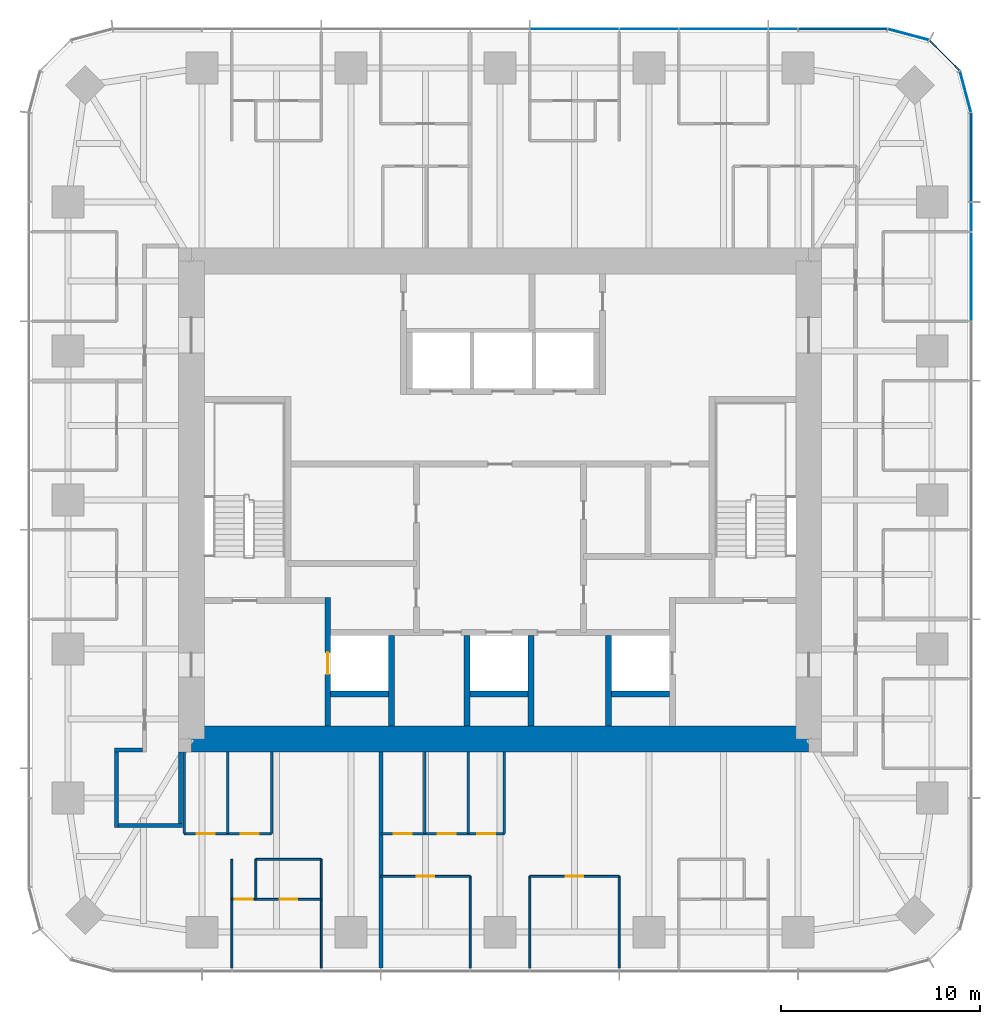
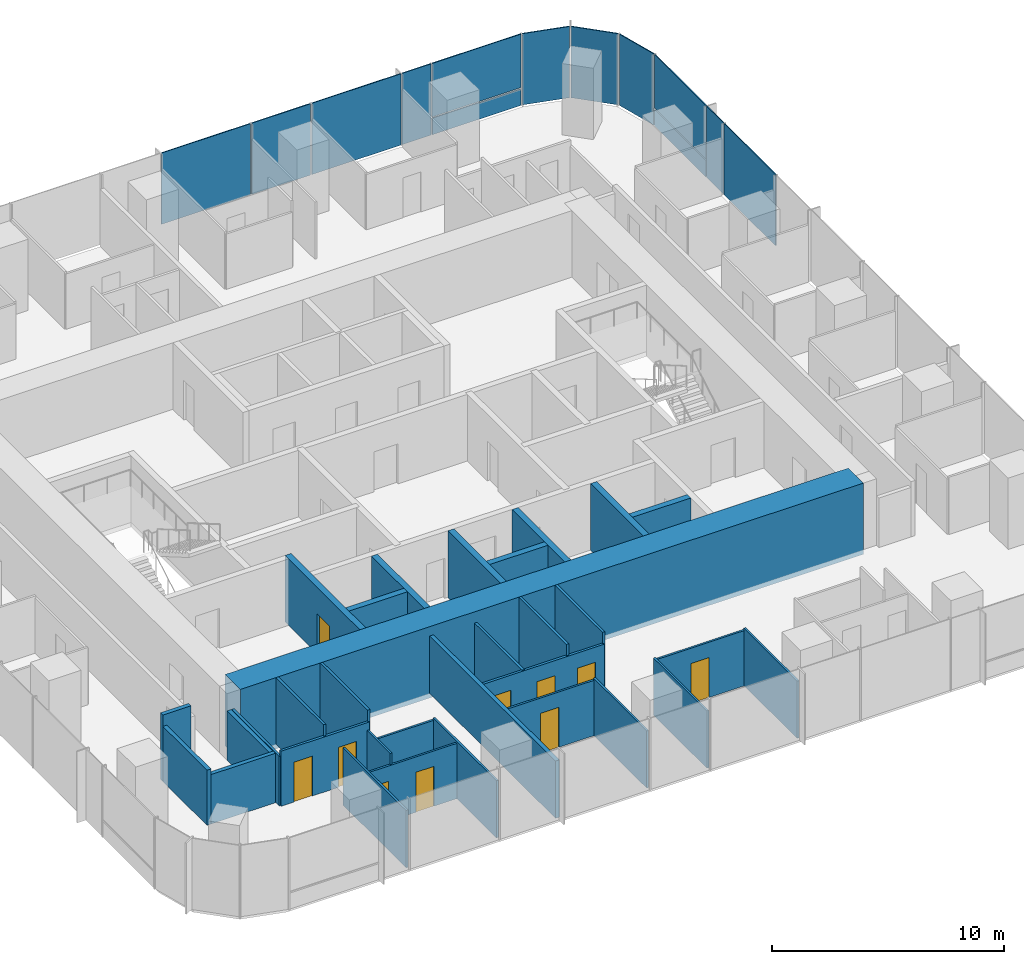
# One storey, part 8 of 12: 32 walls, 13 plates, 10 doors, 10 openings, 3 elements without a shape of their own.
"""IFC4 building model written with IfcOpenShell, lengths in metres."""

from ifc_helpers import new_model, si_unit, direction, frame, frame_2d, origin, origin_2d, place, context, subcontext, project, spatial, rectangle, extrude, material, layer, layer_set, type_object, element, fill, aggregate, save


model = new_model("IFC4")

# Units and contexts
model_context = context("Model", 3, precision=1e-05, world=origin(), true_north=direction((0.0, 1.0)))
body_context = subcontext(model_context, "Body", "Model", "MODEL_VIEW")
ifc_project = project(units=[si_unit("LENGTHUNIT", "METRE"), si_unit("AREAUNIT", "SQUARE_METRE"), si_unit("VOLUMEUNIT", "CUBIC_METRE"), si_unit("PLANEANGLEUNIT", "RADIAN"), si_unit("MASSUNIT", "GRAM", prefix="KILO")], contexts=[model_context])

# Site, building, storey
site_placement = place(None, origin())
site = spatial("IfcSite", under=ifc_project, at=site_placement, CompositionType="ELEMENT")
building_placement = place(site_placement, origin())
building = spatial("IfcBuilding", under=site, at=building_placement, Name="Khuree Lantern Residences", CompositionType="ELEMENT")
storey_placement = place(building_placement, frame((0.0, 0.0, 308.25)))
storey = spatial("IfcBuildingStorey", under=building, at=storey_placement, Name="L77", CompositionType="ELEMENT", Elevation=308.25)

# Curtain wall, plates
ifc_material_1 = material(Name="Bronze anodised aluminium", Category="aluminium")
curtain_wall_type_1 = type_object("IfcCurtainWallType", Name="CW-T2 TOWER CORNER CURTAIN WALL", PredefinedType="USERDEFINED", material=ifc_material_1)
curtain_wall_1_placement = place(storey_placement, origin())
curtain_wall_1 = element("IfcCurtainWall", 1, at=curtain_wall_1_placement, inside=storey, type_object=curtain_wall_type_1, Name="L77 NORTH-EAST CORNER CURTAIN WALL", ObjectType="Faceted corner curtain wall", PredefinedType="USERDEFINED")
ifc_material_2 = material(Name="Bronze tinted triple glazing", Category="glass")
ifc_layer_1 = layer(ifc_material_2, 0.048095703125)
ifc_layer_set_1 = layer_set([ifc_layer_1], Name="FACET PANEL P4")
plate_type_1 = type_object("IfcPlateType", Name="FACET PANEL P4", PredefinedType="CURTAIN_PANEL", material=ifc_layer_set_1)
plate_1_placement = place(storey_placement, frame((23.369140625, 20.498046875, 0.0), z_axis=(0.0, 0.0, 1.0), x_axis=(-0.2588189146, 0.965925861257, 0.0)))
plate_1 = element("IfcPlate", 2, at=plate_1_placement, type_object=plate_type_1, Name="L77 NORTH-EAST CORNER PANEL 15.1", PredefinedType="CURTAIN_PANEL", context=body_context, shape_type="SweptSolid", body=[
    extrude(rectangle(XDim=2.09814453125, YDim=0.048095703125, at=origin_2d()), origin(), (0.0, 0.0, 1.0), 3.75),
])
plate_2_placement = place(storey_placement, frame((22.318603515625, 22.318603515625, 0.0), z_axis=(0.0, 0.0, 1.0), x_axis=(-0.707106781187, 0.707106781187, 0.0)))
plate_2 = element("IfcPlate", 3, at=plate_2_placement, type_object=plate_type_1, Name="L77 NORTH-EAST CORNER PANEL 16.1", PredefinedType="CURTAIN_PANEL", context=body_context, shape_type="SweptSolid", body=[
    extrude(rectangle(XDim=2.093994140625, YDim=0.048095703125, at=origin_2d()), origin(), (0.0, 0.0, 1.0), 3.75),
])
plate_3_placement = place(storey_placement, frame((20.498046875, 23.369140625, 0.0), z_axis=(0.0, 0.0, 1.0), x_axis=(-0.965925861257, 0.2588189146, 0.0)))
plate_3 = element("IfcPlate", 4, at=plate_3_placement, type_object=plate_type_1, Name="L77 NORTH-EAST CORNER PANEL 17.1", PredefinedType="CURTAIN_PANEL", context=body_context, shape_type="SweptSolid", body=[
    extrude(rectangle(XDim=2.09814453125, YDim=0.048095703125, at=origin_2d()), origin(), (0.0, 0.0, 1.0), 3.75),
])
aggregate(curtain_wall_1, [plate_1, plate_2, plate_3])

# Curtain wall, plate
curtain_wall_type_2 = type_object("IfcCurtainWallType", Name="CW-T1 TOWER FACE CURTAIN WALL", PredefinedType="USERDEFINED", material=ifc_material_1)
curtain_wall_2_placement = place(storey_placement, origin())
curtain_wall_2 = element("IfcCurtainWall", 5, at=curtain_wall_2_placement, inside=storey, type_object=curtain_wall_type_2, Name="L77 EAST FACE CURTAIN WALL", ObjectType="Stick-built curtain wall", PredefinedType="USERDEFINED")
ifc_material_3 = material(Name="Bronze tinted triple glazing with a ceramic-fritted spandrel band", Category="glass")
ifc_layer_2 = layer(ifc_material_3, 0.048095703125)
ifc_layer_set_2 = layer_set([ifc_layer_2], Name="FIXED LIGHT PANEL P11")
plate_type_2 = type_object("IfcPlateType", Name="FIXED LIGHT PANEL P11", PredefinedType="CURTAIN_PANEL", material=ifc_layer_set_2)
plate_4_placement = place(storey_placement, frame((23.64990234375, 11.219970703125, 0.0), z_axis=(0.0, 0.0, 1.0), x_axis=(0.0, 1.0, 0.0)))
plate_4 = element("IfcPlate", 6, at=plate_4_placement, type_object=plate_type_2, Name="L77 EAST FACE PANEL 12.1", PredefinedType="CURTAIN_PANEL", context=body_context, shape_type="SweptSolid", body=[
    extrude(rectangle(XDim=4.423095703125, YDim=0.048095703125, at=origin_2d()), origin(), (0.0, 0.0, 1.0), 3.75),
])

# Curtain wall, plates
curtain_wall_3_placement = place(storey_placement, origin())
curtain_wall_3 = element("IfcCurtainWall", 7, at=curtain_wall_3_placement, inside=storey, type_object=curtain_wall_type_2, Name="L77 NORTH FACE CURTAIN WALL", ObjectType="Stick-built curtain wall", PredefinedType="USERDEFINED")
plate_5_placement = place(storey_placement, frame((11.219970703125, 23.64990234375, 0.0), z_axis=(0.0, 0.0, 1.0), x_axis=(-1.0, 0.0, 0.0)))
plate_5 = element("IfcPlate", 8, at=plate_5_placement, type_object=plate_type_2, Name="L77 NORTH FACE PANEL 20.1", PredefinedType="CURTAIN_PANEL", context=body_context, shape_type="SweptSolid", body=[
    extrude(rectangle(XDim=4.423095703125, YDim=0.048095703125, at=origin_2d()), origin(), (0.0, 0.0, 1.0), 3.75),
])
plate_6_placement = place(storey_placement, frame((3.739990234375, 23.64990234375, 0.0), z_axis=(0.0, 0.0, 1.0), x_axis=(-1.0, 0.0, 0.0)))
plate_6 = element("IfcPlate", 9, at=plate_6_placement, type_object=plate_type_2, Name="L77 NORTH FACE PANEL 22.1", PredefinedType="CURTAIN_PANEL", context=body_context, shape_type="SweptSolid", body=[
    extrude(rectangle(XDim=4.423095703125, YDim=0.048095703125, at=origin_2d()), origin(), (0.0, 0.0, 1.0), 3.75),
])
ifc_material_4 = material(Name="Bronze tinted triple glazing, two aluminium-framed sashes in one frame", Category="aluminium")
ifc_layer_3 = layer(ifc_material_4, 0.048095703125)
ifc_layer_set_3 = layer_set([ifc_layer_3], Name="SASH PAIR PANEL P12")
plate_type_3 = type_object("IfcPlateType", Name="SASH PAIR PANEL P12", PredefinedType="CURTAIN_PANEL", material=ifc_layer_set_3)
plate_7_placement = place(storey_placement, frame((7.47998046875, 23.64990234375, 0.0), z_axis=(0.0, 0.0, 1.0), x_axis=(-1.0, 0.0, 0.0)))
plate_7 = element("IfcPlate", 10, at=plate_7_placement, type_object=plate_type_3, Name="L77 NORTH FACE PANEL 21.1", PredefinedType="CURTAIN_PANEL", context=body_context, shape_type="SweptSolid", body=[
    extrude(rectangle(XDim=2.927001953125, YDim=0.048095703125, at=origin_2d()), origin(), (0.0, 0.0, 1.0), 3.75),
])

# Plate
ifc_material_5 = material(Name="Bronze tinted triple glazing, aluminium-framed sash", Category="aluminium")
ifc_layer_4 = layer(ifc_material_5, 0.048095703125)
ifc_layer_set_4 = layer_set([ifc_layer_4], Name="SASH PANEL P3")
plate_type_4 = type_object("IfcPlateType", Name="SASH PANEL P3", PredefinedType="CURTAIN_PANEL", material=ifc_layer_set_4)
plate_8_placement = place(storey_placement, frame((23.64990234375, 14.2119140625, 0.0), z_axis=(0.0, 0.0, 1.0), x_axis=(0.0, 1.0, 0.0)))
plate_8 = element("IfcPlate", 11, at=plate_8_placement, type_object=plate_type_4, Name="L77 EAST FACE PANEL 13.1", PredefinedType="CURTAIN_PANEL", context=body_context, shape_type="SweptSolid", body=[
    extrude(rectangle(XDim=1.430908203125, YDim=0.048095703125, at=origin_2d()), origin(), (0.0, 0.0, 1.0), 3.75),
])

plate_9_placement = place(storey_placement, frame((14.2119140625, 23.64990234375, 0.0), z_axis=(0.0, 0.0, 1.0), x_axis=(-1.0, 0.0, 0.0)))
plate_9 = element("IfcPlate", 12, at=plate_9_placement, type_object=plate_type_4, Name="L77 NORTH FACE PANEL 19.1", PredefinedType="CURTAIN_PANEL", context=body_context, shape_type="SweptSolid", body=[
    extrude(rectangle(XDim=1.430908203125, YDim=0.048095703125, at=origin_2d()), origin(), (0.0, 0.0, 1.0), 3.75),
])

ifc_material_6 = material(Name="Bronze anodised aluminium insulated spandrel", Category="aluminium")
ifc_layer_5 = layer(ifc_material_6, 0.06005859375)
ifc_layer_set_5 = layer_set([ifc_layer_5], Name="SPANDREL PANEL P2")
plate_type_5 = type_object("IfcPlateType", Name="SPANDREL PANEL P2", PredefinedType="CURTAIN_PANEL", material=ifc_layer_set_5)
plate_10_placement = place(storey_placement, frame((23.64990234375, 17.202880859375, 0.0), z_axis=(0.0, 0.0, 1.0), x_axis=(0.0, 1.0, 0.0)))
plate_10 = element("IfcPlate", 13, at=plate_10_placement, type_object=plate_type_5, Name="L77 EAST FACE PANEL 14.1", PredefinedType="CURTAIN_PANEL", context=body_context, shape_type="SweptSolid", body=[
    extrude(rectangle(XDim=4.420654296875, YDim=0.06005859375, at=origin_2d()), origin(), (0.0, 0.0, 1.0), 0.867431640625),
])

plate_11_placement = place(storey_placement, frame((17.202880859375, 23.64990234375, 0.0), z_axis=(0.0, 0.0, 1.0), x_axis=(-1.0, 0.0, 0.0)))
plate_11 = element("IfcPlate", 14, at=plate_11_placement, type_object=plate_type_5, Name="L77 NORTH FACE PANEL 18.1", PredefinedType="CURTAIN_PANEL", context=body_context, shape_type="SweptSolid", body=[
    extrude(rectangle(XDim=4.420654296875, YDim=0.06005859375, at=origin_2d()), origin(), (0.0, 0.0, 1.0), 0.867431640625),
])

ifc_layer_6 = layer(ifc_material_2, 0.048095703125)
ifc_layer_set_6 = layer_set([ifc_layer_6], Name="VISION PANEL P1")
plate_type_6 = type_object("IfcPlateType", Name="VISION PANEL P1", PredefinedType="CURTAIN_PANEL", material=ifc_layer_set_6)
plate_12_placement = place(storey_placement, frame((23.64990234375, 17.203369140625, 0.9326171875), z_axis=(0.0, 0.0, 1.0), x_axis=(0.0, 1.0, 0.0)))
plate_12 = element("IfcPlate", 15, at=plate_12_placement, type_object=plate_type_6, Name="L77 EAST FACE PANEL 14.2", PredefinedType="CURTAIN_PANEL", context=body_context, shape_type="SweptSolid", body=[
    extrude(rectangle(XDim=4.421630859375, YDim=0.048095703125, at=origin_2d()), origin(), (0.0, 0.0, 1.0), 2.8173828125),
])

aggregate(curtain_wall_2, [plate_4, plate_8, plate_10, plate_12])

plate_13_placement = place(storey_placement, frame((17.203369140625, 23.64990234375, 0.9326171875), z_axis=(0.0, 0.0, 1.0), x_axis=(-1.0, 0.0, 0.0)))
plate_13 = element("IfcPlate", 16, at=plate_13_placement, type_object=plate_type_6, Name="L77 NORTH FACE PANEL 18.2", PredefinedType="CURTAIN_PANEL", context=body_context, shape_type="SweptSolid", body=[
    extrude(rectangle(XDim=4.421630859375, YDim=0.048095703125, at=origin_2d()), origin(), (0.0, 0.0, 1.0), 2.8173828125),
])

aggregate(curtain_wall_3, [plate_11, plate_13, plate_9, plate_5, plate_7, plate_6])

# Wall, openings, doors
ifc_material_7 = material(Name="Moisture-resistant gypsum board on steel studs", Category="steel")
ifc_layer_7 = layer(ifc_material_7, 0.125)
ifc_layer_set_7 = layer_set([ifc_layer_7], Name="BATHROOM WALL BTW125")
wall_type_1 = type_object("IfcWallType", Name="BATHROOM WALL BTW125", PredefinedType="PARTITIONING", material=ifc_layer_set_7)
wall_1_placement = place(storey_placement, frame((-15.866455078125, -16.746337890625, 0.0), z_axis=(0.0, 0.0, 1.0), x_axis=(1.0, 0.0, 0.0)))
wall_1 = element("IfcWall", 17, at=wall_1_placement, inside=storey, type_object=wall_type_1, Name="L77 BATHROOM WALL 03", PredefinedType="PARTITIONING", context=body_context, shape_type="SweptSolid", body=[
    extrude(rectangle(XDim=4.39990234375, YDim=0.125, at=frame_2d((2.199951171875, 0.0))), origin(), (0.0, 0.0, 1.0), 2.89990234375),
])
opening_1_placement = place(wall_1_placement, frame((0.64990234375, 0.0, 0.0)))
opening_1 = element("IfcOpeningElement", 18, at=opening_1_placement, cuts=wall_1, Name="Opening 77-044", PredefinedType="OPENING", context=body_context, shape_type="SweptSolid", body=[
    extrude(rectangle(XDim=0.89990234375, YDim=2.10009765625, at=frame_2d((0.449951171875, 1.050048828125))), frame((0.0, 0.072509765625, 0.0), z_axis=(0.0, -1.0, 0.0), x_axis=(1.0, 0.0, 0.0)), (0.0, 0.0, 1.0), 0.14501953125),
])
opening_2_placement = place(wall_1_placement, frame((2.85009765625, 0.0, 0.0)))
opening_2 = element("IfcOpeningElement", 19, at=opening_2_placement, cuts=wall_1, Name="Opening 77-045", PredefinedType="OPENING", context=body_context, shape_type="SweptSolid", body=[
    extrude(rectangle(XDim=0.89990234375, YDim=2.10009765625, at=frame_2d((0.449951171875, 1.050048828125))), frame((0.0, 0.072509765625, 0.0), z_axis=(0.0, -1.0, 0.0), x_axis=(1.0, 0.0, 0.0)), (0.0, 0.0, 1.0), 0.14501953125),
])
ifc_material_8 = material(Name="Timber door leaf in hardwood frame", Category="wood")
door_type_1 = type_object("IfcDoorType", Name="BATHROOM DOOR 900X2100", OperationType="SINGLE_SWING_LEFT", PredefinedType="DOOR", material=ifc_material_8)
door_1_placement = place(opening_1_placement, origin())
door_1 = element("IfcDoor", 20, at=door_1_placement, inside=storey, type_object=door_type_1, Name="Bathroom door 77-044", OperationType="SINGLE_SWING_LEFT", OverallHeight=2.10009765625, OverallWidth=0.89990234375, PredefinedType="DOOR", context=body_context, shape_type="SweptSolid", body=[
    extrude(rectangle(XDim=0.89990234375, YDim=2.10009765625, at=frame_2d((0.449951171875, 1.050048828125))), frame((0.0, 0.02490234375, 0.0), z_axis=(0.0, -1.0, 0.0), x_axis=(1.0, 0.0, 0.0)), (0.0, 0.0, 1.0), 0.050048828125),
])
fill(opening_1, door_1)
door_2_placement = place(opening_2_placement, origin())
door_2 = element("IfcDoor", 21, at=door_2_placement, inside=storey, type_object=door_type_1, Name="Bathroom door 77-045", OperationType="SINGLE_SWING_LEFT", OverallHeight=2.10009765625, OverallWidth=0.89990234375, PredefinedType="DOOR", context=body_context, shape_type="SweptSolid", body=[
    extrude(rectangle(XDim=0.89990234375, YDim=2.10009765625, at=frame_2d((0.449951171875, 1.050048828125))), frame((0.0, 0.02490234375, 0.0), z_axis=(0.0, -1.0, 0.0), x_axis=(1.0, 0.0, 0.0)), (0.0, 0.0, 1.0), 0.050048828125),
])
fill(opening_2, door_2)

# Walls
wall_2_placement = place(storey_placement, frame((-15.866455078125, -12.64990234375, 0.0), z_axis=(0.0, 0.0, 1.0), x_axis=(0.0, -1.0, 0.0)))
element("IfcWall", 22, at=wall_2_placement, inside=storey, type_object=wall_type_1, Name="L77 BATHROOM WALL 03", PredefinedType="PARTITIONING", context=body_context, shape_type="SweptSolid", body=[
    extrude(rectangle(XDim=4.096435546875, YDim=0.125, at=frame_2d((2.04833984375, 0.0))), origin(), (0.0, 0.0, 1.0), 2.60009765625),
])
for number, where, z_axis, x_axis, name in (
    (23, (-13.66650390625, -12.64990234375, 0.0), (0.0, 0.0, 1.0), (0.0, -1.0, 0.0), "L77 BATHROOM WALL 03"),
    (24, (-11.466552734375, -12.64990234375, 0.0), (0.0, 0.0, 1.0), (0.0, -1.0, 0.0), "L77 BATHROOM WALL 03"),
):
    element("IfcWall", number, at=place(storey_placement, frame(where, z_axis=z_axis, x_axis=x_axis)), inside=storey, type_object=wall_type_1, Name=name, PredefinedType="PARTITIONING", context=body_context, shape_type="SweptSolid", body=[
        extrude(rectangle(XDim=4.096435546875, YDim=0.125, at=frame_2d((2.04833984375, 0.0))), origin(), (0.0, 0.0, 1.0), 3.5),
    ])

# Wall, openings, doors
wall_3_placement = place(storey_placement, frame((-5.98388671875, -16.746337890625, 0.0), z_axis=(0.0, 0.0, 1.0), x_axis=(1.0, 0.0, 0.0)))
wall_3 = element("IfcWall", 25, at=wall_3_placement, inside=storey, type_object=wall_type_1, Name="L77 BATHROOM WALL 04", PredefinedType="PARTITIONING", context=body_context, shape_type="SweptSolid", body=[
    extrude(rectangle(XDim=6.199951171875, YDim=0.125, at=frame_2d((3.10009765625, 0.0))), origin(), (0.0, 0.0, 1.0), 2.89990234375),
])
opening_3_placement = place(wall_3_placement, frame((0.64990234375, 0.0, 0.0)))
opening_3 = element("IfcOpeningElement", 26, at=opening_3_placement, cuts=wall_3, Name="Opening 77-052", PredefinedType="OPENING", context=body_context, shape_type="SweptSolid", body=[
    extrude(rectangle(XDim=0.89990234375, YDim=2.10009765625, at=frame_2d((0.449951171875, 1.050048828125))), frame((0.0, 0.072509765625, 0.0), z_axis=(0.0, -1.0, 0.0), x_axis=(1.0, 0.0, 0.0)), (0.0, 0.0, 1.0), 0.14501953125),
])
opening_4_placement = place(wall_3_placement, frame((2.85009765625, 0.0, 0.0)))
opening_4 = element("IfcOpeningElement", 27, at=opening_4_placement, cuts=wall_3, Name="Opening 77-053", PredefinedType="OPENING", context=body_context, shape_type="SweptSolid", body=[
    extrude(rectangle(XDim=0.89990234375, YDim=2.10009765625, at=frame_2d((0.449951171875, 1.050048828125))), frame((0.0, 0.072509765625, 0.0), z_axis=(0.0, -1.0, 0.0), x_axis=(1.0, 0.0, 0.0)), (0.0, 0.0, 1.0), 0.14501953125),
])
opening_5_placement = place(wall_3_placement, frame((4.85009765625, 0.0, 0.0)))
opening_5 = element("IfcOpeningElement", 28, at=opening_5_placement, cuts=wall_3, Name="Opening 77-054", PredefinedType="OPENING", context=body_context, shape_type="SweptSolid", body=[
    extrude(rectangle(XDim=0.89990234375, YDim=2.10009765625, at=frame_2d((0.449951171875, 1.050048828125))), frame((0.0, 0.072509765625, 0.0), z_axis=(0.0, -1.0, 0.0), x_axis=(1.0, 0.0, 0.0)), (0.0, 0.0, 1.0), 0.14501953125),
])
door_3_placement = place(opening_3_placement, origin())
door_3 = element("IfcDoor", 29, at=door_3_placement, inside=storey, type_object=door_type_1, Name="Bathroom door 77-052", OperationType="SINGLE_SWING_LEFT", OverallHeight=2.10009765625, OverallWidth=0.89990234375, PredefinedType="DOOR", context=body_context, shape_type="SweptSolid", body=[
    extrude(rectangle(XDim=0.89990234375, YDim=2.10009765625, at=frame_2d((0.449951171875, 1.050048828125))), frame((0.0, 0.02490234375, 0.0), z_axis=(0.0, -1.0, 0.0), x_axis=(1.0, 0.0, 0.0)), (0.0, 0.0, 1.0), 0.050048828125),
])
fill(opening_3, door_3)
door_4_placement = place(opening_4_placement, origin())
door_4 = element("IfcDoor", 30, at=door_4_placement, inside=storey, type_object=door_type_1, Name="Bathroom door 77-053", OperationType="SINGLE_SWING_LEFT", OverallHeight=2.10009765625, OverallWidth=0.89990234375, PredefinedType="DOOR", context=body_context, shape_type="SweptSolid", body=[
    extrude(rectangle(XDim=0.89990234375, YDim=2.10009765625, at=frame_2d((0.449951171875, 1.050048828125))), frame((0.0, 0.02490234375, 0.0), z_axis=(0.0, -1.0, 0.0), x_axis=(1.0, 0.0, 0.0)), (0.0, 0.0, 1.0), 0.050048828125),
])
fill(opening_4, door_4)
door_type_2 = type_object("IfcDoorType", Name="DOOR 900X2100", OperationType="SINGLE_SWING_LEFT", PredefinedType="DOOR", material=ifc_material_8)
door_5_placement = place(opening_5_placement, origin())
door_5 = element("IfcDoor", 31, at=door_5_placement, inside=storey, type_object=door_type_2, Name="Store door 77-054", OperationType="SINGLE_SWING_LEFT", OverallHeight=2.10009765625, OverallWidth=0.89990234375, PredefinedType="DOOR", context=body_context, shape_type="SweptSolid", body=[
    extrude(rectangle(XDim=0.89990234375, YDim=2.10009765625, at=frame_2d((0.449951171875, 1.050048828125))), frame((0.0, 0.02490234375, 0.0), z_axis=(0.0, -1.0, 0.0), x_axis=(1.0, 0.0, 0.0)), (0.0, 0.0, 1.0), 0.050048828125),
])
fill(opening_5, door_5)

# Walls
wall_4_placement = place(storey_placement, frame((-3.783935546875, -12.64990234375, 0.0), z_axis=(0.0, 0.0, 1.0), x_axis=(0.0, -1.0, 0.0)))
element("IfcWall", 32, at=wall_4_placement, inside=storey, type_object=wall_type_1, Name="L77 BATHROOM WALL 04", PredefinedType="PARTITIONING", context=body_context, shape_type="SweptSolid", body=[
    extrude(rectangle(XDim=4.096435546875, YDim=0.125, at=frame_2d((2.04833984375, 0.0))), origin(), (0.0, 0.0, 1.0), 2.909912109375),
])
for number, where, z_axis, x_axis, name in (
    (33, (-1.583984375, -12.64990234375, 0.0), (0.0, 0.0, 1.0), (0.0, -1.0, 0.0), "L77 BATHROOM WALL 04"),
    (34, (0.216064453125, -12.64990234375, 0.0), (0.0, 0.0, 1.0), (0.0, -1.0, 0.0), "L77 BATHROOM WALL 04"),
):
    element("IfcWall", number, at=place(storey_placement, frame(where, z_axis=z_axis, x_axis=x_axis)), inside=storey, type_object=wall_type_1, Name=name, PredefinedType="PARTITIONING", context=body_context, shape_type="SweptSolid", body=[
        extrude(rectangle(XDim=4.096435546875, YDim=0.125, at=frame_2d((2.04833984375, 0.0))), origin(), (0.0, 0.0, 1.0), 3.5),
    ])

# Wall, opening, door
ifc_material_9 = material(Name="Dense concrete blockwork", Category="masonry")
ifc_layer_8 = layer(ifc_material_9, 0.300048828125)
ifc_layer_set_8 = layer_set([ifc_layer_8], Name="CORE PARTITION WALL CPW300 EI 120")
wall_type_2 = type_object("IfcWallType", Name="CORE PARTITION WALL CPW300 EI 120", PredefinedType="PARTITIONING", material=ifc_layer_set_8)
wall_5_placement = place(storey_placement, frame((-8.64990234375, -11.35009765625, 0.0), z_axis=(0.0, 0.0, 1.0), x_axis=(0.0, 1.0, 0.0)))
wall_5 = element("IfcWall", 35, at=wall_5_placement, inside=storey, type_object=wall_type_2, Name="L77 CORE WALL FL1W", PredefinedType="PARTITIONING", context=body_context, shape_type="SweptSolid", body=[
    extrude(rectangle(XDim=6.4501953125, YDim=0.300048828125, at=frame_2d((3.22509765625, 0.0))), origin(), (0.0, 0.0, 1.0), 3.5),
])
opening_6_placement = place(wall_5_placement, frame((2.60009765625, 0.0, 0.0)))
opening_6 = element("IfcOpeningElement", 36, at=opening_6_placement, cuts=wall_5, Name="Opening 77-007", PredefinedType="OPENING", context=body_context, shape_type="SweptSolid", body=[
    extrude(rectangle(XDim=1.10009765625, YDim=2.10009765625, at=frame_2d((0.550048828125, 1.050048828125))), frame((0.0, 0.16015625, 0.0), z_axis=(0.0, -1.0, 0.0), x_axis=(1.0, 0.0, 0.0)), (0.0, 0.0, 1.0), 0.320068359375),
])
ifc_material_10 = material(Name="Stainless steel lift landing door", Category="steel")
door_type_3 = type_object("IfcDoorType", Name="LIFT LANDING DOOR 1100X2100 E 120", OperationType="DOUBLE_DOOR_SLIDING", PredefinedType="DOOR", material=ifc_material_10)
door_6_placement = place(opening_6_placement, origin())
door_6 = element("IfcDoor", 37, at=door_6_placement, inside=storey, type_object=door_type_3, Name="Landing door FL1 77-007", OperationType="DOUBLE_DOOR_SLIDING", OverallHeight=2.10009765625, OverallWidth=1.10009765625, PredefinedType="DOOR", context=body_context, shape_type="SweptSolid", body=[
    extrude(rectangle(XDim=1.10009765625, YDim=2.10009765625, at=frame_2d((0.550048828125, 1.050048828125))), frame((0.0, 0.02490234375, 0.0), z_axis=(0.0, -1.0, 0.0), x_axis=(1.0, 0.0, 0.0)), (0.0, 0.0, 1.0), 0.050048828125),
])
fill(opening_6, door_6)

# Walls
for number, where, z_axis, x_axis, name in (
    (38, (-5.449951171875, -11.35009765625, 0.0), (0.0, 0.0, 1.0), (0.0, 1.0, 0.0), "L77 CORE WALL FL1E"),
    (39, (-1.64990234375, -11.35009765625, 0.0), (0.0, 0.0, 1.0), (0.0, 1.0, 0.0), "L77 CORE WALL SL1W"),
    (40, (1.550048828125, -11.35009765625, 0.0), (0.0, 0.0, 1.0), (0.0, 1.0, 0.0), "L77 CORE WALL SL1E"),
    (41, (5.449951171875, -11.35009765625, 0.0), (0.0, 0.0, 1.0), (0.0, 1.0, 0.0), "L77 CORE WALL FL2W"),
):
    element("IfcWall", number, at=place(storey_placement, frame(where, z_axis=z_axis, x_axis=x_axis)), inside=storey, type_object=wall_type_2, Name=name, PredefinedType="PARTITIONING", context=body_context, shape_type="SweptSolid", body=[
        extrude(rectangle(XDim=4.550048828125, YDim=0.300048828125, at=frame_2d((2.27490234375, 0.0))), origin(), (0.0, 0.0, 1.0), 3.5),
    ])
for number, where, z_axis, x_axis, name in (
    (42, (-8.5, -9.75, 0.0), (0.0, 0.0, 1.0), (1.0, 0.0, 0.0), "L77 CORE WALL FL1S"),
    (43, (-1.5, -9.75, 0.0), (0.0, 0.0, 1.0), (1.0, 0.0, 0.0), "L77 CORE WALL SL1S"),
    (44, (5.60009765625, -9.75, 0.0), (0.0, 0.0, 1.0), (1.0, 0.0, 0.0), "L77 CORE WALL FL2S"),
):
    element("IfcWall", number, at=place(storey_placement, frame(where, z_axis=z_axis, x_axis=x_axis)), inside=storey, type_object=wall_type_2, Name=name, PredefinedType="PARTITIONING", context=body_context, shape_type="SweptSolid", body=[
        extrude(rectangle(XDim=2.89990234375, YDim=0.300048828125, at=frame_2d((1.449951171875, 0.0))), origin(), (0.0, 0.0, 1.0), 3.5),
    ])
ifc_material_11 = material(Name="Gypsum board on steel studs", Category="steel")
ifc_layer_9 = layer(ifc_material_11, 0.199951171875)
ifc_layer_set_9 = layer_set([ifc_layer_9], Name="CORRIDOR WALL CRW200 EI 60")
wall_type_3 = type_object("IfcWallType", Name="CORRIDOR WALL CRW200 EI 60", PredefinedType="PARTITIONING", material=ifc_layer_set_9)
wall_6_placement = place(storey_placement, frame((-17.949951171875, -12.550048828125, 0.0), z_axis=(0.0, 0.0, 1.0), x_axis=(-1.0, 0.0, 0.0)))
element("IfcWall", 45, at=wall_6_placement, inside=storey, type_object=wall_type_3, Name="L77 RESIDENTS LOUNGE WALL", PredefinedType="PARTITIONING", context=body_context, shape_type="SweptSolid", body=[
    extrude(rectangle(XDim=1.400146484375, YDim=0.199951171875, at=frame_2d((0.7001953125, 0.0))), origin(), (0.0, 0.0, 1.0), 3.5),
])
wall_7_placement = place(storey_placement, frame((-19.25, -12.449951171875, 0.0), z_axis=(0.0, 0.0, 1.0), x_axis=(0.0, -1.0, 0.0)))
element("IfcWall", 46, at=wall_7_placement, inside=storey, type_object=wall_type_3, Name="L77 RESIDENTS LOUNGE WALL", PredefinedType="PARTITIONING", context=body_context, shape_type="SweptSolid", body=[
    extrude(rectangle(XDim=4.0, YDim=0.199951171875, at=frame_2d((2.0, 0.0))), origin(), (0.0, 0.0, 1.0), 2.89990234375),
])
wall_8_placement = place(storey_placement, frame((-19.14990234375, -16.35009765625, 0.0), z_axis=(0.0, 0.0, 1.0), x_axis=(1.0, 0.0, 0.0)))
element("IfcWall", 47, at=wall_8_placement, inside=storey, type_object=wall_type_3, Name="L77 RESIDENTS LOUNGE WALL", PredefinedType="PARTITIONING", context=body_context, shape_type="SweptSolid", body=[
    extrude(rectangle(XDim=3.199951171875, YDim=0.199951171875, at=frame_2d((1.60009765625, 0.0))), origin(), (0.0, 0.0, 1.0), 2.60009765625),
])
wall_9_placement = place(storey_placement, frame((-16.050048828125, -16.449951171875, 0.0), z_axis=(0.0, 0.0, 1.0), x_axis=(0.0, 1.0, 0.0)))
element("IfcWall", 48, at=wall_9_placement, inside=storey, type_object=wall_type_3, Name="L77 RESIDENTS LOUNGE WALL", PredefinedType="PARTITIONING", context=body_context, shape_type="SweptSolid", body=[
    extrude(rectangle(XDim=3.800048828125, YDim=0.199951171875, at=frame_2d((1.89990234375, 0.0))), origin(), (0.0, 0.0, 1.0), 2.60009765625),
])
ifc_material_12 = material(Name="Concrete C50/60", Category="concrete")
ifc_layer_10 = layer(ifc_material_12, 1.300048828125)
ifc_layer_set_10 = layer_set([ifc_layer_10], Name="CW1300-C50 CORE WALL C50 1300")
wall_type_4 = type_object("IfcWallType", Name="CW1300-C50 CORE WALL C50 1300", PredefinedType="SHEAR", material=ifc_layer_set_10)
wall_10_placement = place(storey_placement, frame((-15.5, -12.0, -0.25), z_axis=(0.0, 0.0, 1.0), x_axis=(1.0, 0.0, 0.0)))
element("IfcWall", 49, at=wall_10_placement, inside=storey, type_object=wall_type_4, Name="Core wall S", PredefinedType="SHEAR", context=body_context, shape_type="SweptSolid", body=[
    extrude(rectangle(XDim=31.0, YDim=1.300048828125, at=frame_2d((15.5, 0.0))), origin(), (0.0, 0.0, 1.0), 3.75),
])
ifc_layer_11 = layer(ifc_material_11, 0.199951171875)
ifc_layer_set_11 = layer_set([ifc_layer_11], Name="DEMISING WALL DMW200 EI 90")
wall_type_5 = type_object("IfcWallType", Name="DEMISING WALL DMW200 EI 90", PredefinedType="PARTITIONING", material=ifc_layer_set_11)
wall_11_placement = place(storey_placement, frame((-5.98388671875, -12.64990234375, 0.0), z_axis=(0.0, 0.0, 1.0), x_axis=(0.0, -1.0, 0.0)))
element("IfcWall", 50, at=wall_11_placement, inside=storey, type_object=wall_type_5, Name="L77 DEMISING WALL 04", PredefinedType="PARTITIONING", context=body_context, shape_type="SweptSolid", body=[
    extrude(rectangle(XDim=10.85009765625, YDim=0.199951171875, at=frame_2d((5.425048828125, 0.0))), origin(), (0.0, 0.0, 1.0), 3.010009765625),
])
ifc_layer_12 = layer(ifc_material_11, 0.10009765625)
ifc_layer_set_12 = layer_set([ifc_layer_12], Name="PARTITION PT100")
wall_type_6 = type_object("IfcWallType", Name="PARTITION PT100", PredefinedType="PARTITIONING", material=ifc_layer_set_12)
for number, where, z_axis, x_axis, name in (
    (51, (-13.464111328125, -18.04638671875, 0.0), (0.0, 0.0, 1.0), (0.0, -1.0, 0.0), "L77 PARTITION 03"),
    (52, (-8.97607421875, -18.04638671875, 0.0), (0.0, 0.0, 1.0), (0.0, -1.0, 0.0), "L77 PARTITION 03"),
):
    element("IfcWall", number, at=place(storey_placement, frame(where, z_axis=z_axis, x_axis=x_axis)), inside=storey, type_object=wall_type_6, Name=name, PredefinedType="PARTITIONING", context=body_context, shape_type="SweptSolid", body=[
        extrude(rectangle(XDim=5.45361328125, YDim=0.10009765625, at=frame_2d((2.726806640625, 0.0))), origin(), (0.0, 0.0, 1.0), 3.010009765625),
    ])
for number, where, z_axis, x_axis, name in (
    (53, (-1.49609375, -18.89990234375, 0.0), (0.0, 0.0, 1.0), (0.0, -1.0, 0.0), "L77 PARTITION 04"),
    (54, (1.49609375, -18.89990234375, 0.0), (0.0, 0.0, 1.0), (0.0, -1.0, 0.0), "L77 PARTITION 04"),
    (55, (5.98388671875, -18.89990234375, 0.0), (0.0, 0.0, 1.0), (0.0, -1.0, 0.0), "L77 PARTITION 04"),
):
    element("IfcWall", number, at=place(storey_placement, frame(where, z_axis=z_axis, x_axis=x_axis)), inside=storey, type_object=wall_type_6, Name=name, PredefinedType="PARTITIONING", context=body_context, shape_type="SweptSolid", body=[
        extrude(rectangle(XDim=4.60009765625, YDim=0.10009765625, at=frame_2d((2.300048828125, 0.0))), origin(), (0.0, 0.0, 1.0), 3.010009765625),
    ])

# Wall, openings, doors
wall_12_placement = place(storey_placement, frame((-13.464111328125, -20.04638671875, 0.0), z_axis=(0.0, 0.0, 1.0), x_axis=(1.0, 0.0, 0.0)))
wall_12 = element("IfcWall", 56, at=wall_12_placement, inside=storey, type_object=wall_type_6, Name="L77 PARTITION 03", PredefinedType="PARTITIONING", context=body_context, shape_type="SweptSolid", body=[
    extrude(rectangle(XDim=4.488037109375, YDim=0.10009765625, at=frame_2d((2.244140625, 0.0))), origin(), (0.0, 0.0, 1.0), 2.909912109375),
])
opening_7_placement = place(wall_12_placement, frame((0.14990234375, 0.0, 0.0)))
opening_7 = element("IfcOpeningElement", 57, at=opening_7_placement, cuts=wall_12, Name="Opening 77-042", PredefinedType="OPENING", context=body_context, shape_type="SweptSolid", body=[
    extrude(rectangle(XDim=0.89990234375, YDim=2.10009765625, at=frame_2d((0.449951171875, 1.050048828125))), frame((0.0, 0.06005859375, 0.0), z_axis=(0.0, -1.0, 0.0), x_axis=(1.0, 0.0, 0.0)), (0.0, 0.0, 1.0), 0.1201171875),
])
opening_8_placement = place(wall_12_placement, frame((2.39404296875, 0.0, 0.0)))
opening_8 = element("IfcOpeningElement", 58, at=opening_8_placement, cuts=wall_12, Name="Opening 77-043", PredefinedType="OPENING", context=body_context, shape_type="SweptSolid", body=[
    extrude(rectangle(XDim=0.89990234375, YDim=2.10009765625, at=frame_2d((0.449951171875, 1.050048828125))), frame((0.0, 0.06005859375, 0.0), z_axis=(0.0, -1.0, 0.0), x_axis=(1.0, 0.0, 0.0)), (0.0, 0.0, 1.0), 0.1201171875),
])
door_type_4 = type_object("IfcDoorType", Name="BEDROOM DOOR 900X2100", OperationType="SINGLE_SWING_LEFT", PredefinedType="DOOR", material=ifc_material_8)
door_7_placement = place(opening_7_placement, origin())
door_7 = element("IfcDoor", 59, at=door_7_placement, inside=storey, type_object=door_type_4, Name="Bedroom door 77-042", OperationType="SINGLE_SWING_LEFT", OverallHeight=2.10009765625, OverallWidth=0.89990234375, PredefinedType="DOOR", context=body_context, shape_type="SweptSolid", body=[
    extrude(rectangle(XDim=0.89990234375, YDim=2.10009765625, at=frame_2d((0.449951171875, 1.050048828125))), frame((0.0, 0.02490234375, 0.0), z_axis=(0.0, -1.0, 0.0), x_axis=(1.0, 0.0, 0.0)), (0.0, 0.0, 1.0), 0.050048828125),
])
fill(opening_7, door_7)
door_8_placement = place(opening_8_placement, origin())
door_8 = element("IfcDoor", 60, at=door_8_placement, inside=storey, type_object=door_type_2, Name="Wardrobe door 77-043", OperationType="SINGLE_SWING_LEFT", OverallHeight=2.10009765625, OverallWidth=0.89990234375, PredefinedType="DOOR", context=body_context, shape_type="SweptSolid", body=[
    extrude(rectangle(XDim=0.89990234375, YDim=2.10009765625, at=frame_2d((0.449951171875, 1.050048828125))), frame((0.0, 0.02490234375, 0.0), z_axis=(0.0, -1.0, 0.0), x_axis=(1.0, 0.0, 0.0)), (0.0, 0.0, 1.0), 0.050048828125),
])
fill(opening_8, door_8)

# Walls
wall_13_placement = place(storey_placement, frame((-12.263916015625, -18.04638671875, 0.0), z_axis=(0.0, 0.0, 1.0), x_axis=(0.0, -1.0, 0.0)))
element("IfcWall", 61, at=wall_13_placement, inside=storey, type_object=wall_type_6, Name="L77 PARTITION 03", PredefinedType="PARTITIONING", context=body_context, shape_type="SweptSolid", body=[
    extrude(rectangle(XDim=2.0, YDim=0.10009765625, at=frame_2d((1.0, 0.0))), origin(), (0.0, 0.0, 1.0), 3.5),
])
wall_14_placement = place(storey_placement, frame((-12.263916015625, -18.04638671875, 0.0), z_axis=(0.0, 0.0, 1.0), x_axis=(1.0, 0.0, 0.0)))
element("IfcWall", 62, at=wall_14_placement, inside=storey, type_object=wall_type_6, Name="L77 PARTITION 03", PredefinedType="PARTITIONING", context=body_context, shape_type="SweptSolid", body=[
    extrude(rectangle(XDim=3.287841796875, YDim=0.10009765625, at=frame_2d((1.64404296875, 0.0))), origin(), (0.0, 0.0, 1.0), 2.909912109375),
])

# Wall, opening, door
wall_15_placement = place(storey_placement, frame((-5.98388671875, -18.89990234375, 0.0), z_axis=(0.0, 0.0, 1.0), x_axis=(1.0, 0.0, 0.0)))
wall_15 = element("IfcWall", 63, at=wall_15_placement, inside=storey, type_object=wall_type_6, Name="L77 PARTITION 04", PredefinedType="PARTITIONING", context=body_context, shape_type="SweptSolid", body=[
    extrude(rectangle(XDim=4.48779296875, YDim=0.10009765625, at=frame_2d((2.243896484375, 0.0))), origin(), (0.0, 0.0, 1.0), 2.909912109375),
])
opening_9_placement = place(wall_15_placement, frame((1.7939453125, 0.0, 0.0)))
opening_9 = element("IfcOpeningElement", 64, at=opening_9_placement, cuts=wall_15, Name="Opening 77-047", PredefinedType="OPENING", context=body_context, shape_type="SweptSolid", body=[
    extrude(rectangle(XDim=0.89990234375, YDim=2.10009765625, at=frame_2d((0.449951171875, 1.050048828125))), frame((0.0, 0.06005859375, 0.0), z_axis=(0.0, -1.0, 0.0), x_axis=(1.0, 0.0, 0.0)), (0.0, 0.0, 1.0), 0.1201171875),
])
door_9_placement = place(opening_9_placement, origin())
door_9 = element("IfcDoor", 65, at=door_9_placement, inside=storey, type_object=door_type_4, Name="Bedroom door 77-047", OperationType="SINGLE_SWING_LEFT", OverallHeight=2.10009765625, OverallWidth=0.89990234375, PredefinedType="DOOR", context=body_context, shape_type="SweptSolid", body=[
    extrude(rectangle(XDim=0.89990234375, YDim=2.10009765625, at=frame_2d((0.449951171875, 1.050048828125))), frame((0.0, 0.02490234375, 0.0), z_axis=(0.0, -1.0, 0.0), x_axis=(1.0, 0.0, 0.0)), (0.0, 0.0, 1.0), 0.050048828125),
])
fill(opening_9, door_9)

wall_16_placement = place(storey_placement, frame((1.49609375, -18.89990234375, 0.0), z_axis=(0.0, 0.0, 1.0), x_axis=(1.0, 0.0, 0.0)))
wall_16 = element("IfcWall", 66, at=wall_16_placement, inside=storey, type_object=wall_type_6, Name="L77 PARTITION 04", PredefinedType="PARTITIONING", context=body_context, shape_type="SweptSolid", body=[
    extrude(rectangle(XDim=4.48779296875, YDim=0.10009765625, at=frame_2d((2.243896484375, 0.0))), origin(), (0.0, 0.0, 1.0), 2.909912109375),
])
opening_10_placement = place(wall_16_placement, frame((1.7939453125, 0.0, 0.0)))
opening_10 = element("IfcOpeningElement", 67, at=opening_10_placement, cuts=wall_16, Name="Opening 77-048", PredefinedType="OPENING", context=body_context, shape_type="SweptSolid", body=[
    extrude(rectangle(XDim=0.89990234375, YDim=2.10009765625, at=frame_2d((0.449951171875, 1.050048828125))), frame((0.0, 0.06005859375, 0.0), z_axis=(0.0, -1.0, 0.0), x_axis=(1.0, 0.0, 0.0)), (0.0, 0.0, 1.0), 0.1201171875),
])
door_10_placement = place(opening_10_placement, origin())
door_10 = element("IfcDoor", 68, at=door_10_placement, inside=storey, type_object=door_type_4, Name="Bedroom door 77-048", OperationType="SINGLE_SWING_LEFT", OverallHeight=2.10009765625, OverallWidth=0.89990234375, PredefinedType="DOOR", context=body_context, shape_type="SweptSolid", body=[
    extrude(rectangle(XDim=0.89990234375, YDim=2.10009765625, at=frame_2d((0.449951171875, 1.050048828125))), frame((0.0, 0.02490234375, 0.0), z_axis=(0.0, -1.0, 0.0), x_axis=(1.0, 0.0, 0.0)), (0.0, 0.0, 1.0), 0.050048828125),
])
fill(opening_10, door_10)

save(model, "model.ifc")
